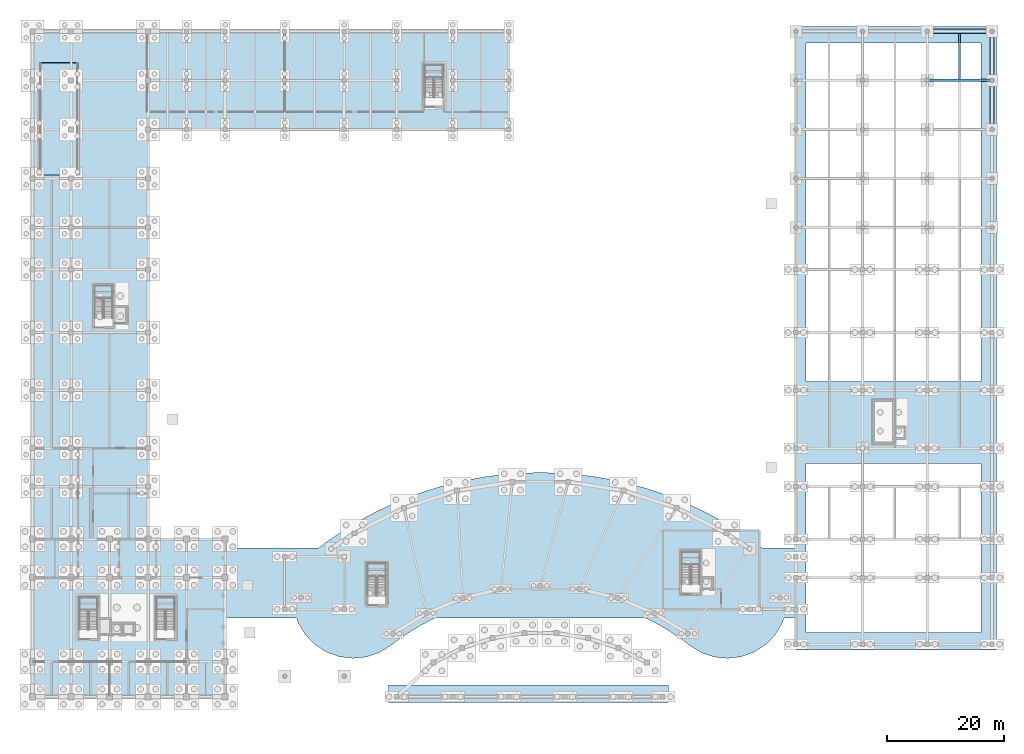
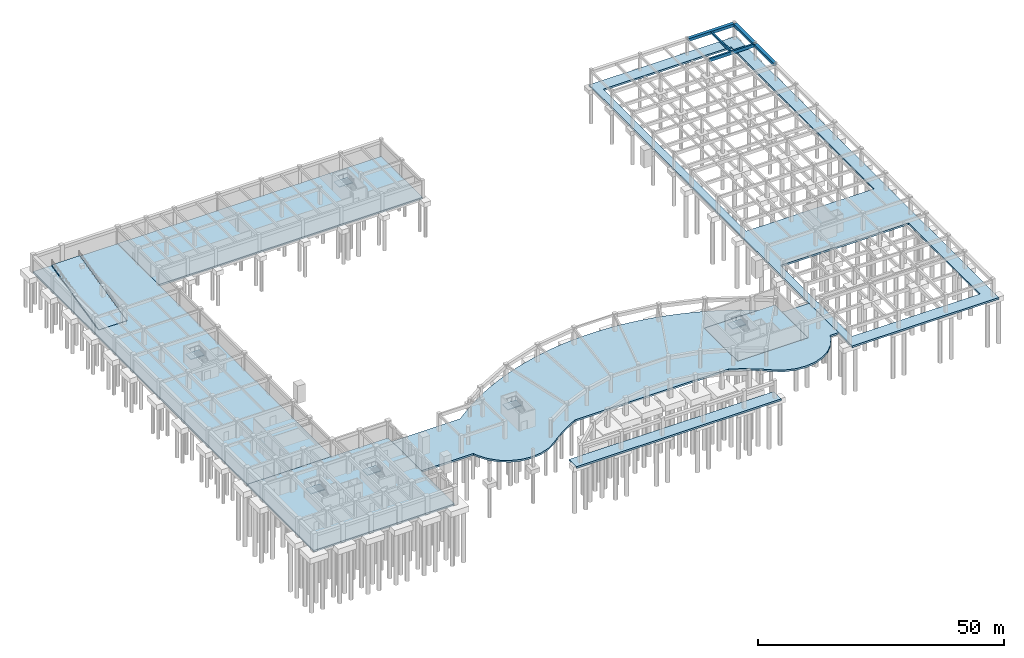
# One storey, part 14 of 28: 14 slabs, 5 beams, 6 elements without a shape of their own.
"""IFC4 building model written with IfcOpenShell, lengths in metres."""

from ifc_helpers import new_model, si_unit, direction, frame, origin, origin_2d, place, context, subcontext, project, spatial, polyline, rectangle, outline, extrude, material, layer, layer_set, material_profile, profile_set, type_object, element, aggregate, save


model = new_model("IFC4")

# Units and contexts
model_context = context("Model", 3, precision=1e-05, world=origin(), true_north=direction((0.0, 1.0)))
body_context = subcontext(model_context, "Body", "Model", "MODEL_VIEW")
ifc_project = project(units=[si_unit("LENGTHUNIT", "METRE"), si_unit("AREAUNIT", "SQUARE_METRE"), si_unit("VOLUMEUNIT", "CUBIC_METRE"), si_unit("PLANEANGLEUNIT", "RADIAN"), si_unit("MASSUNIT", "GRAM", prefix="KILO")], contexts=[model_context])

# Site, building, storey
site_placement = place(None, origin())
site = spatial("IfcSite", under=ifc_project, at=site_placement, CompositionType="ELEMENT")
building_placement = place(site_placement, origin())
building = spatial("IfcBuilding", under=site, at=building_placement, Name="Miralva Faculty of Natural Sciences", CompositionType="ELEMENT")
storey_placement = place(building_placement, frame((0.0, 0.0, -4.5)))
storey = spatial("IfcBuildingStorey", under=building, at=storey_placement, Name="B1", CompositionType="ELEMENT", Elevation=-4.5)

# Beams
ifc_material_1 = material(Name="Concrete C40/50", Category="concrete")
ifc_material_profile_1 = material_profile(ifc_material_1, rectangle(XDim=0.39990234375, YDim=0.800048828125, at=origin_2d()), Name="RC 400x800")
ifc_profile_set_1 = profile_set([ifc_material_profile_1], Name="Concrete C40/50")
beam_type_1 = type_object("IfcBeamType", Name="BM-B02", PredefinedType="BEAM", material=ifc_profile_set_1)
beam_1_placement = place(storey_placement, frame((156.574951171875, 108.60009765625, 3.739990234375), z_axis=(1.0, 0.0, 0.0), x_axis=(0.0, 1.0, 0.0)))
element("IfcBeam", 1, at=beam_1_placement, inside=storey, type_object=beam_type_1, Name="Girder EW B1-98", PredefinedType="BEAM", context=body_context, shape_type="SweptSolid", body=[
    extrude(rectangle(XDim=0.39990234375, YDim=0.800048828125, at=origin_2d()), origin(), (0.0, 0.0, 1.0), 10.550048828125),
])
ifc_material_profile_2 = material_profile(ifc_material_1, rectangle(XDim=0.35009765625, YDim=0.550048828125, at=origin_2d()), Name="RC 350x550")
ifc_profile_set_2 = profile_set([ifc_material_profile_2], Name="Concrete C40/50")
beam_type_2 = type_object("IfcBeamType", Name="BM-J04", PredefinedType="JOIST", material=ifc_profile_set_2)
beam_2_placement = place(storey_placement, frame((161.85009765625, 108.800048828125, 3.864990234375), z_axis=(0.0, 1.0, 0.0), x_axis=(-1.0, 0.0, 0.0)))
element("IfcBeam", 2, at=beam_2_placement, inside=storey, type_object=beam_type_2, Name="Floor joist B1-56", PredefinedType="JOIST", context=body_context, shape_type="SweptSolid", body=[
    extrude(rectangle(XDim=0.35009765625, YDim=0.550048828125, at=origin_2d()), origin(), (0.0, 0.0, 1.0), 7.824951171875),
])
ifc_material_profile_3 = material_profile(ifc_material_1, rectangle(XDim=0.75, YDim=0.699951171875, at=origin_2d()), Name="RC 750x700")
ifc_profile_set_3 = profile_set([ifc_material_profile_3], Name="Concrete C40/50")
beam_type_3 = type_object("IfcBeamType", Name="BM-SP01", PredefinedType="SPANDREL", material=ifc_profile_set_3)
beam_3_placement = place(storey_placement, frame((156.574951171875, 117.0, 3.7900390625), z_axis=(1.0, 0.0, 0.0), x_axis=(0.0, 1.0, 0.0)))
element("IfcBeam", 3, at=beam_3_placement, inside=storey, type_object=beam_type_3, Name="Girder EW B1-110", PredefinedType="SPANDREL", context=body_context, shape_type="SweptSolid", body=[
    extrude(rectangle(XDim=0.75, YDim=0.699951171875, at=origin_2d()), origin(), (0.0, 0.0, 1.0), 10.550048828125),
])
beam_4_placement = place(storey_placement, frame((167.39990234375, 100.47509765625, 3.7900390625), z_axis=(0.0, 1.0, 0.0), x_axis=(-1.0, 0.0, 0.0)))
element("IfcBeam", 4, at=beam_4_placement, inside=storey, type_object=beam_type_3, Name="Girder NS B1-218", PredefinedType="SPANDREL", context=body_context, shape_type="SweptSolid", body=[
    extrude(rectangle(XDim=0.75, YDim=0.699951171875, at=origin_2d()), origin(), (0.0, 0.0, 1.0), 7.849853515625),
])
beam_5_placement = place(storey_placement, frame((167.39990234375, 108.875, 3.7900390625), z_axis=(0.0, 1.0, 0.0), x_axis=(-1.0, 0.0, 0.0)))
element("IfcBeam", 5, at=beam_5_placement, inside=storey, type_object=beam_type_3, Name="Girder NS B1-219", PredefinedType="SPANDREL", context=body_context, shape_type="SweptSolid", body=[
    extrude(rectangle(XDim=0.75, YDim=0.699951171875, at=origin_2d()), origin(), (0.0, 0.0, 1.0), 7.85009765625),
])

# Slabs
ifc_material_2 = material(Name="Concrete C35/45", Category="concrete")
ifc_layer_1 = layer(ifc_material_2, 0.449951171875, Name="SL-BS01")
ifc_layer_set_1 = layer_set([ifc_layer_1], Name="Concrete C35/45")
slab_type_1 = type_object("IfcSlabType", Name="SL-BS01", PredefinedType="BASESLAB", material=ifc_layer_set_1)
slab_1_placement = place(storey_placement, frame((0.0, 0.0, -0.449951171875)))
element("IfcSlab", 6, at=slab_1_placement, inside=storey, type_object=slab_type_1, Name="V5 B1 baseslab slab", PredefinedType="BASESLAB", context=body_context, shape_type="SweptSolid", body=[
    extrude(outline(polyline([(36.0, 3.0), (3.0, 3.0), (3.0, 30.0), (36.0, 30.0), (36.0, 3.0)])), origin(), (0.0, 0.0, 1.0), 0.449951171875),
])
slab_2_placement = place(storey_placement, frame((0.0, 0.0, -0.449951171875)))
element("IfcSlab", 7, at=slab_2_placement, inside=storey, type_object=slab_type_1, Name="V4 B1 baseslab slab", PredefinedType="BASESLAB", context=body_context, shape_type="SweptSolid", body=[
    extrude(outline(polyline([(3.0, 30.0), (3.0, 117.0), (22.800048828125, 117.0), (22.800048828125, 30.0), (3.0, 30.0)]), holes=[polyline([(10.800048828125, 93.75), (4.199951171875, 93.75), (4.199951171875, 92.3798828125), (10.800048828125, 92.3798828125), (10.800048828125, 93.75)])]), origin(), (0.0, 0.0, 1.0), 0.449951171875),
])
slab_3_placement = place(storey_placement, frame((0.0, 0.0, -0.449951171875)))
element("IfcSlab", 8, at=slab_3_placement, inside=storey, type_object=slab_type_1, Name="V4 B1 baseslab slab", PredefinedType="BASESLAB", context=body_context, shape_type="SweptSolid", body=[
    extrude(outline(polyline([(84.60009765625, 100.199951171875), (22.800048828125, 100.199951171875), (22.800048828125, 117.0), (84.60009765625, 117.0), (84.60009765625, 100.199951171875)])), origin(), (0.0, 0.0, 1.0), 0.449951171875),
])
slab_4_placement = place(storey_placement, frame((0.0, 0.0, -0.449951171875)))
element("IfcSlab", 9, at=slab_4_placement, inside=storey, type_object=slab_type_1, Name="V3 B1 baseslab slab", PredefinedType="BASESLAB", context=body_context, shape_type="SweptSolid", body=[
    extrude(outline(polyline([(127.5, 18.0), (111.0, 18.0), (111.0, 31.5), (127.5, 31.5), (127.5, 18.0)])), origin(), (0.0, 0.0, 1.0), 0.449951171875),
])
slab_5_placement = place(storey_placement, frame((0.0, 0.0, -0.449951171875)))
element("IfcSlab", 10, at=slab_5_placement, inside=storey, type_object=slab_type_1, Name="V2 B1 baseslab slab", PredefinedType="BASESLAB", context=body_context, shape_type="SweptSolid", body=[
    extrude(outline(polyline([(133.800048828125, 117.800048828125), (168.199951171875, 117.800048828125), (168.199951171875, 11.0), (133.800048828125, 11.0), (133.800048828125, 117.800048828125)]), holes=[polyline([(135.5, 43.0), (135.5, 14.0), (165.5, 14.0), (165.5, 43.0), (135.5, 43.0)]), polyline([(165.5, 115.0), (135.5, 115.0), (135.5, 57.0), (165.5, 57.0), (165.5, 115.0)])]), origin(), (0.0, 0.0, 1.0), 0.449951171875),
])
slab_6_placement = place(storey_placement, frame((0.0, 0.0, -0.449951171875)))
element("IfcSlab", 11, at=slab_6_placement, inside=storey, type_object=slab_type_1, Name="V3 B1 baseslab slab", PredefinedType="BASESLAB", context=body_context, shape_type="SweptSolid", body=[
    extrude(outline(polyline([(131.42919921875, 15.557861328125), (131.3544921875, 15.419677734375), (130.29931640625, 13.70263671875), (130.209716796875, 13.57373046875), (130.106201171875, 13.45556640625), (128.695556640625, 12.016357421875), (128.579345703125, 11.91064453125), (128.452392578125, 11.818603515625), (126.756591796875, 10.729248046875), (126.6201171875, 10.652099609375), (126.4755859375, 10.59033203125), (124.580078125, 9.90576171875), (124.4296875, 9.86083984375), (124.275146484375, 9.8330078125), (122.27490234375, 9.58740234375), (122.1181640625, 9.5771484375), (121.961181640625, 9.584228515625), (119.956298828125, 9.7900390625), (119.801513671875, 9.814697265625), (119.650146484375, 9.856689453125), (117.7412109375, 10.50341796875), (117.595703125, 10.56201171875), (117.45751953125, 10.636474609375), (115.740478515625, 11.691650390625), (115.63330078125, 11.7646484375), (114.313232421875, 12.7548828125), (112.978271484375, 13.677490234375), (111.608154296875, 14.54736328125), (110.205322265625, 15.36328125), (108.771484375, 16.12353515625), (107.98974609375, 16.5), (72.01025390625, 16.5), (71.228515625, 16.12353515625), (69.794677734375, 15.36328125), (68.391845703125, 14.54736328125), (67.021728515625, 13.677490234375), (65.686767578125, 12.7548828125), (64.36669921875, 11.7646484375), (64.259521484375, 11.691650390625), (62.54248046875, 10.636474609375), (62.404296875, 10.56201171875), (62.2587890625, 10.50341796875), (60.349853515625, 9.856689453125), (60.198486328125, 9.814697265625), (60.043701171875, 9.7900390625), (58.038818359375, 9.584228515625), (57.8818359375, 9.5771484375), (57.72509765625, 9.58740234375), (55.724853515625, 9.8330078125), (55.5703125, 9.86083984375), (55.419921875, 9.90576171875), (53.5244140625, 10.59033203125), (53.3798828125, 10.652099609375), (53.243408203125, 10.729248046875), (51.547607421875, 11.818603515625), (51.420654296875, 11.91064453125), (51.304443359375, 12.016357421875), (49.893798828125, 13.45556640625), (49.790283203125, 13.57373046875), (49.70068359375, 13.70263671875), (48.6455078125, 15.419677734375), (48.57080078125, 15.557861328125), (48.51220703125, 15.70361328125), (48.242431640625, 16.5), (36.0, 16.5), (36.0, 28.5), (52.01953125, 28.5), (53.5078125, 29.61669921875), (53.55224609375, 29.648681640625), (55.509765625, 31.00146484375), (55.555419921875, 31.031494140625), (57.564208984375, 32.30712890625), (57.611083984375, 32.33544921875), (59.668212890625, 33.53173828125), (59.7158203125, 33.55810546875), (61.818115234375, 34.673095703125), (61.866943359375, 34.69775390625), (64.010986328125, 35.72998046875), (64.060791015625, 35.752685546875), (66.243408203125, 36.70068359375), (66.2939453125, 36.72119140625), (68.511962890625, 37.583251953125), (68.563232421875, 37.60205078125), (70.813232421875, 38.376708984375), (70.865234375, 38.3935546875), (73.143798828125, 39.079833984375), (73.1962890625, 39.094482421875), (75.5, 39.691650390625), (75.552978515625, 39.704345703125), (77.878173828125, 40.2109375), (77.931640625, 40.2216796875), (80.27490234375, 40.63720703125), (80.328857421875, 40.645751953125), (82.686279296875, 40.9697265625), (82.740478515625, 40.97607421875), (85.10888671875, 41.207763671875), (85.163330078125, 41.2119140625), (87.538818359375, 41.351318359375), (87.593505859375, 41.353271484375), (89.97265625, 41.399658203125), (90.02734375, 41.399658203125), (92.406494140625, 41.353271484375), (92.461181640625, 41.351318359375), (94.836669921875, 41.2119140625), (94.89111328125, 41.207763671875), (97.259521484375, 40.97607421875), (97.313720703125, 40.9697265625), (99.671142578125, 40.645751953125), (99.72509765625, 40.63720703125), (102.068359375, 40.2216796875), (102.121826171875, 40.2109375), (104.447021484375, 39.704345703125), (104.5, 39.691650390625), (106.8037109375, 39.094482421875), (106.856201171875, 39.079833984375), (109.134765625, 38.3935546875), (109.186767578125, 38.376708984375), (111.436767578125, 37.60205078125), (111.488037109375, 37.583251953125), (113.7060546875, 36.72119140625), (113.756591796875, 36.70068359375), (115.939208984375, 35.752685546875), (115.989013671875, 35.72998046875), (118.133056640625, 34.69775390625), (118.181884765625, 34.673095703125), (120.2841796875, 33.55810546875), (120.331787109375, 33.53173828125), (122.388916015625, 32.33544921875), (122.435791015625, 32.30712890625), (123.706787109375, 31.5), (111.0, 31.5), (111.0, 18.0), (127.5, 18.0), (127.5, 28.860595703125), (127.98046875, 28.5), (133.800048828125, 28.5), (133.800048828125, 16.5), (131.757568359375, 16.5), (131.48779296875, 15.70361328125), (131.42919921875, 15.557861328125)])), origin(), (0.0, 0.0, 1.0), 0.449951171875),
])
slab_7_placement = place(storey_placement, frame((0.0, 0.0, -0.449951171875)))
element("IfcSlab", 12, at=slab_7_placement, inside=storey, type_object=slab_type_1, Name="V3 B1 baseslab slab", PredefinedType="BASESLAB", context=body_context, shape_type="SweptSolid", body=[
    extrude(outline(polyline([(112.0, 2.0), (64.0, 2.0), (64.0, 5.0), (112.0, 5.0), (112.0, 2.0)])), origin(), (0.0, 0.0, 1.0), 0.449951171875),
])

# Stair, slab
stair_type = type_object("IfcStairType", Name="ST-CORE-450", PredefinedType="HALF_TURN_STAIR", material=ifc_material_1)
stair_1_placement = place(storey_placement, origin())
stair_1 = element("IfcStair", 13, at=stair_1_placement, inside=storey, type_object=stair_type, Name="Exit Stair Core C1 (ST-03) B1", PredefinedType="HALF_TURN_STAIR")
ifc_layer_2 = layer(ifc_material_1, 0.18994140625, Name="SL-LD01")
ifc_layer_set_2 = layer_set([ifc_layer_2], Name="Concrete C40/50")
slab_type_2 = type_object("IfcSlabType", Name="SL-LD01", PredefinedType="LANDING", material=ifc_layer_set_2)
slab_8_placement = place(storey_placement, frame((0.0, 0.0, 2.06005859375)))
slab_8 = element("IfcSlab", 14, at=slab_8_placement, type_object=slab_type_2, Name="ST-03 landing 1", PredefinedType="LANDING", context=body_context, shape_type="SweptSolid", body=[
    extrude(outline(polyline([(14.14990234375, 17.860107421875), (14.14990234375, 20.050048828125), (11.0, 20.050048828125), (11.0, 17.860107421875), (14.14990234375, 17.860107421875)])), origin(), (0.0, 0.0, 1.0), 0.18994140625),
])
aggregate(stair_1, [slab_8])

stair_2_placement = place(storey_placement, origin())
stair_2 = element("IfcStair", 15, at=stair_2_placement, inside=storey, type_object=stair_type, Name="Exit Stair Core C1B (ST-03) B1", PredefinedType="HALF_TURN_STAIR")
slab_9_placement = place(storey_placement, frame((0.0, 0.0, 2.06005859375)))
slab_9 = element("IfcSlab", 16, at=slab_9_placement, type_object=slab_type_2, Name="ST-03 landing 1", PredefinedType="LANDING", context=body_context, shape_type="SweptSolid", body=[
    extrude(outline(polyline([(27.35009765625, 17.860107421875), (27.35009765625, 20.050048828125), (24.199951171875, 20.050048828125), (24.199951171875, 17.860107421875), (27.35009765625, 17.860107421875)])), origin(), (0.0, 0.0, 1.0), 0.18994140625),
])
aggregate(stair_2, [slab_9])

stair_3_placement = place(storey_placement, origin())
stair_3 = element("IfcStair", 17, at=stair_3_placement, inside=storey, type_object=stair_type, Name="Exit Stair Core C2 (ST-03) B1", PredefinedType="HALF_TURN_STAIR")
slab_10_placement = place(storey_placement, frame((0.0, 0.0, 2.06005859375)))
slab_10 = element("IfcSlab", 18, at=slab_10_placement, type_object=slab_type_2, Name="ST-03 landing 1", PredefinedType="LANDING", context=body_context, shape_type="SweptSolid", body=[
    extrude(outline(polyline([(16.75, 71.260009765625), (16.75, 73.449951171875), (13.60009765625, 73.449951171875), (13.60009765625, 71.260009765625), (16.75, 71.260009765625)])), origin(), (0.0, 0.0, 1.0), 0.18994140625),
])
aggregate(stair_3, [slab_10])

stair_4_placement = place(storey_placement, origin())
stair_4 = element("IfcStair", 19, at=stair_4_placement, inside=storey, type_object=stair_type, Name="Exit Stair Core C3 (ST-03) B1", PredefinedType="HALF_TURN_STAIR")
slab_11_placement = place(storey_placement, frame((0.0, 0.0, 2.06005859375)))
slab_11 = element("IfcSlab", 20, at=slab_11_placement, type_object=slab_type_2, Name="ST-03 landing 1", PredefinedType="LANDING", context=body_context, shape_type="SweptSolid", body=[
    extrude(outline(polyline([(117.35009765625, 25.659912109375), (117.35009765625, 27.85009765625), (114.199951171875, 27.85009765625), (114.199951171875, 25.659912109375), (117.35009765625, 25.659912109375)])), origin(), (0.0, 0.0, 1.0), 0.18994140625),
])
aggregate(stair_4, [slab_11])

stair_5_placement = place(storey_placement, origin())
stair_5 = element("IfcStair", 21, at=stair_5_placement, inside=storey, type_object=stair_type, Name="Exit Stair Core C5 (ST-03) B1", PredefinedType="HALF_TURN_STAIR")
slab_12_placement = place(storey_placement, frame((0.0, 0.0, 2.06005859375)))
slab_12 = element("IfcSlab", 22, at=slab_12_placement, type_object=slab_type_2, Name="ST-03 landing 1", PredefinedType="LANDING", context=body_context, shape_type="SweptSolid", body=[
    extrude(outline(polyline([(73.35009765625, 109.06005859375), (73.35009765625, 111.25), (70.199951171875, 111.25), (70.199951171875, 109.06005859375), (73.35009765625, 109.06005859375)])), origin(), (0.0, 0.0, 1.0), 0.18994140625),
])
aggregate(stair_5, [slab_12])

stair_6_placement = place(storey_placement, origin())
stair_6 = element("IfcStair", 23, at=stair_6_placement, inside=storey, type_object=stair_type, Name="Exit Stair Core C6 (ST-03) B1", PredefinedType="HALF_TURN_STAIR")
slab_13_placement = place(storey_placement, frame((0.0, 0.0, 2.06005859375)))
slab_13 = element("IfcSlab", 24, at=slab_13_placement, type_object=slab_type_2, Name="ST-03 landing 1", PredefinedType="LANDING", context=body_context, shape_type="SweptSolid", body=[
    extrude(outline(polyline([(63.550048828125, 23.659912109375), (63.550048828125, 25.85009765625), (60.39990234375, 25.85009765625), (60.39990234375, 23.659912109375), (63.550048828125, 23.659912109375)])), origin(), (0.0, 0.0, 1.0), 0.18994140625),
])
aggregate(stair_6, [slab_13])

# Slab
ifc_layer_3 = layer(ifc_material_1, 0.300048828125, Name="SL-RMP01")
ifc_layer_set_3 = layer_set([ifc_layer_3], Name="Concrete C40/50")
slab_type_3 = type_object("IfcSlabType", Name="SL-RMP01", PredefinedType="FLOOR", material=ifc_layer_set_3)
slab_14_placement = place(storey_placement, frame((4.219970703125, 92.39990234375, 0.0), z_axis=(0.0, -0.228414877196, 0.973563887927), x_axis=(1.0, 0.0, 0.0)))
element("IfcSlab", 25, at=slab_14_placement, inside=storey, type_object=slab_type_3, Name="Underground Car Park Vehicle Ramp Slab R1", PredefinedType="FLOOR", context=body_context, shape_type="SweptSolid", body=[
    extrude(outline(polyline([(0.0, 0.0), (6.56005859375, 0.0), (6.56005859375, 19.700993452099038), (0.0, 19.700993452099038), (0.0, 0.0)])), origin(), (0.0, 0.0, -1.0), 0.300048828125),
])

save(model, "model.ifc")
